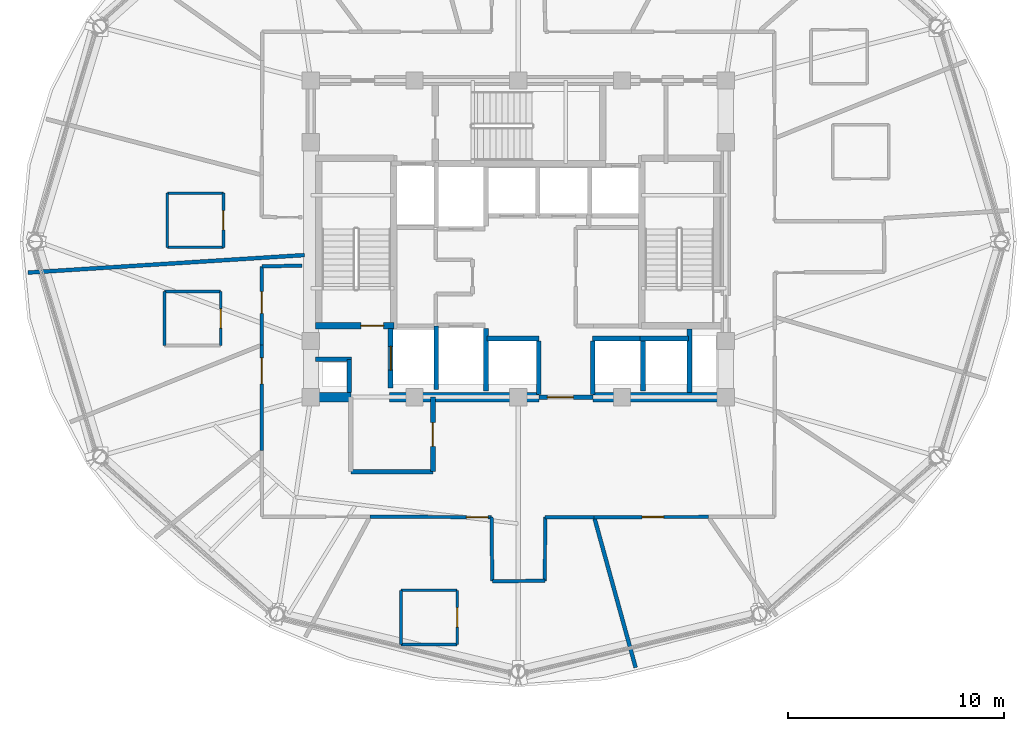
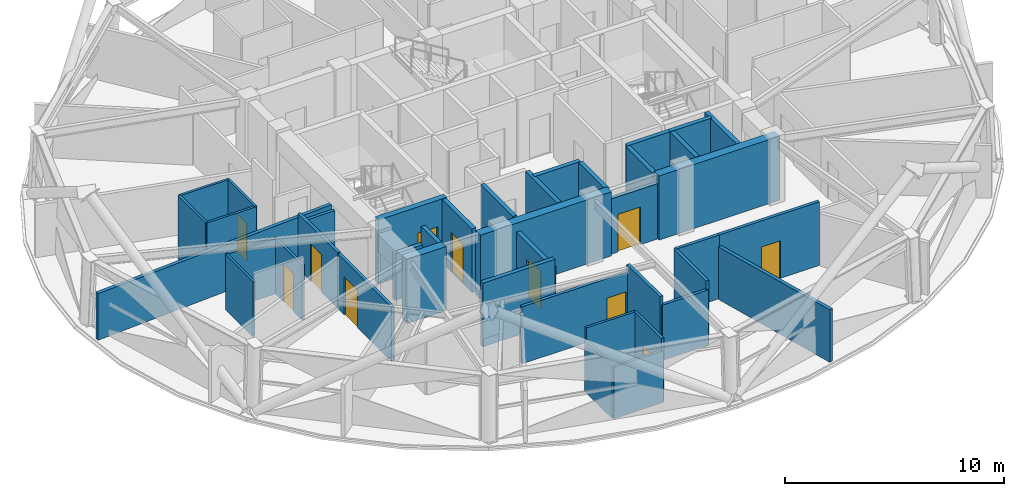
# One storey, part 7 of 14: 41 walls, 11 doors, 11 openings.
"""IFC4 building model written with IfcOpenShell, lengths in metres."""

from ifc_helpers import new_model, si_unit, direction, frame, frame_2d, origin, place, context, subcontext, project, spatial, rectangle, extrude, material, layer, layer_set, type_object, element, fill, save


model = new_model("IFC4")

# Units and contexts
model_context = context("Model", 3, precision=1e-05, world=origin(), true_north=direction((0.0, 1.0)))
body_context = subcontext(model_context, "Body", "Model", "MODEL_VIEW")
ifc_project = project(units=[si_unit("LENGTHUNIT", "METRE"), si_unit("AREAUNIT", "SQUARE_METRE"), si_unit("VOLUMEUNIT", "CUBIC_METRE"), si_unit("PLANEANGLEUNIT", "RADIAN"), si_unit("MASSUNIT", "GRAM", prefix="KILO")], contexts=[model_context])

# Site, building, storey
site_placement = place(None, origin())
site = spatial("IfcSite", under=ifc_project, at=site_placement, CompositionType="ELEMENT")
building_placement = place(site_placement, origin())
building = spatial("IfcBuilding", under=site, at=building_placement, Name="Vantalir Tower", CompositionType="ELEMENT")
storey_placement = place(building_placement, frame((0.0, 0.0, 204.89990234375)))
storey = spatial("IfcBuildingStorey", under=building, at=storey_placement, Name="L51", CompositionType="ELEMENT", Elevation=204.89990234375)

# Walls
ifc_material_1 = material(Name="Moisture-resistant en-suite partition", Category="gypsum")
ifc_layer_1 = layer(ifc_material_1, 0.125)
ifc_layer_set_1 = layer_set([ifc_layer_1], Name="Moisture-resistant en-suite partition")
wall_type_1 = type_object("IfcWallType", Name="WL-BATH-125", PredefinedType="PARTITIONING", material=ifc_layer_set_1)
for number, where, z_axis, x_axis, name in (
    (1, (15.257080078125, 24.735107421875, 0.0), (0.0, 0.0, 1.0), (1.0, 0.0, 0.0), "L51 En-suite 09 South Wall"),
    (2, (15.257080078125, 27.235107421875, 0.0), (0.0, 0.0, 1.0), (1.0, 0.0, 0.0), "L51 En-suite 09 North Wall"),
):
    element("IfcWall", number, at=place(storey_placement, frame(where, z_axis=z_axis, x_axis=x_axis)), inside=storey, type_object=wall_type_1, Name=name, PredefinedType="PARTITIONING", context=body_context, shape_type="SweptSolid", body=[
        extrude(rectangle(XDim=2.599853515625, YDim=0.125, at=frame_2d((1.2998046875, 0.0))), origin(), (0.0, 0.0, 1.0), 3.550048828125),
    ])
wall_1_placement = place(storey_placement, frame((15.257080078125, 24.735107421875, 0.0), z_axis=(0.0, 0.0, 1.0), x_axis=(0.0, 1.0, 0.0)))
element("IfcWall", 3, at=wall_1_placement, inside=storey, type_object=wall_type_1, Name="L51 En-suite 09 West Wall", PredefinedType="PARTITIONING", context=body_context, shape_type="SweptSolid", body=[
    extrude(rectangle(XDim=2.5, YDim=0.125, at=frame_2d((1.25, 0.0))), origin(), (0.0, 0.0, 1.0), 3.550048828125),
])

# Wall, opening, door
wall_2_placement = place(storey_placement, frame((17.85693359375, 24.735107421875, 0.0), z_axis=(0.0, 0.0, 1.0), x_axis=(0.0, 1.0, 0.0)))
wall_2 = element("IfcWall", 4, at=wall_2_placement, inside=storey, type_object=wall_type_1, Name="L51 En-suite 09 East Wall", PredefinedType="PARTITIONING", context=body_context, shape_type="SweptSolid", body=[
    extrude(rectangle(XDim=2.5, YDim=0.125, at=frame_2d((1.25, 0.0))), origin(), (0.0, 0.0, 1.0), 3.550048828125),
])
opening_1_placement = place(wall_2_placement, frame((0.800048828125, 0.0, 0.0)))
opening_1 = element("IfcOpeningElement", 5, at=opening_1_placement, cuts=wall_2, Name="Opening D-WC", PredefinedType="OPENING", context=body_context, shape_type="SweptSolid", body=[
    extrude(rectangle(XDim=0.89990234375, YDim=2.10009765625, at=frame_2d((0.449951171875, 1.050048828125))), frame((0.0, 0.072509765625, 0.0), z_axis=(0.0, -1.0, 0.0), x_axis=(1.0, 0.0, 0.0)), (0.0, 0.0, 1.0), 0.14501953125),
])
ifc_material_2 = material(Name="Moisture-resistant hardwood door", Category="wood")
door_type_1 = type_object("IfcDoorType", Name="DR-ENSUITE-900", OperationType="NOTDEFINED", PredefinedType="DOOR", material=ifc_material_2)
door_1_placement = place(opening_1_placement, origin())
door_1 = element("IfcDoor", 6, at=door_1_placement, inside=storey, type_object=door_type_1, Name="L51 En-suite 09 Door", OperationType="SINGLE_SWING_LEFT", OverallHeight=2.10009765625, OverallWidth=0.89990234375, PredefinedType="DOOR", context=body_context, shape_type="SweptSolid", body=[
    extrude(rectangle(XDim=0.89990234375, YDim=2.10009765625, at=frame_2d((0.449951171875, 1.050048828125))), frame((0.0, 0.02490234375, 0.0), z_axis=(0.0, -1.0, 0.0), x_axis=(1.0, 0.0, 0.0)), (0.0, 0.0, 1.0), 0.050048828125),
])
fill(opening_1, door_1)

# Walls
wall_3_placement = place(storey_placement, frame((15.1298828125, 22.68896484375, 0.0), z_axis=(0.0, 0.0, 1.0), x_axis=(1.0, 0.0, 0.0)))
element("IfcWall", 7, at=wall_3_placement, inside=storey, type_object=wall_type_1, Name="L51 En-suite 10 North Wall", PredefinedType="PARTITIONING", context=body_context, shape_type="SweptSolid", body=[
    extrude(rectangle(XDim=2.60009765625, YDim=0.125, at=frame_2d((1.300048828125, 0.0))), origin(), (0.0, 0.0, 1.0), 3.0810546875),
])
wall_4_placement = place(storey_placement, frame((15.1298828125, 20.18896484375, 0.0), z_axis=(0.0, 0.0, 1.0), x_axis=(0.0, 1.0, 0.0)))
element("IfcWall", 8, at=wall_4_placement, inside=storey, type_object=wall_type_1, Name="L51 En-suite 10 West Wall", PredefinedType="PARTITIONING", context=body_context, shape_type="SweptSolid", body=[
    extrude(rectangle(XDim=2.5, YDim=0.125, at=frame_2d((1.25, 0.0))), origin(), (0.0, 0.0, 1.0), 3.0810546875),
])

# Wall, opening, door
wall_5_placement = place(storey_placement, frame((17.72998046875, 20.18896484375, 0.0), z_axis=(0.0, 0.0, 1.0), x_axis=(0.0, 1.0, 0.0)))
wall_5 = element("IfcWall", 9, at=wall_5_placement, inside=storey, type_object=wall_type_1, Name="L51 En-suite 10 East Wall", PredefinedType="PARTITIONING", context=body_context, shape_type="SweptSolid", body=[
    extrude(rectangle(XDim=2.5, YDim=0.125, at=frame_2d((1.25, 0.0))), origin(), (0.0, 0.0, 1.0), 3.0810546875),
])
opening_2_placement = place(wall_5_placement, frame((0.800048828125, 0.0, 0.0)))
opening_2 = element("IfcOpeningElement", 10, at=opening_2_placement, cuts=wall_5, Name="Opening D-WC", PredefinedType="OPENING", context=body_context, shape_type="SweptSolid", body=[
    extrude(rectangle(XDim=0.89990234375, YDim=2.10009765625, at=frame_2d((0.449951171875, 1.050048828125))), frame((0.0, 0.072509765625, 0.0), z_axis=(0.0, -1.0, 0.0), x_axis=(1.0, 0.0, 0.0)), (0.0, 0.0, 1.0), 0.14501953125),
])
door_2_placement = place(opening_2_placement, origin())
door_2 = element("IfcDoor", 11, at=door_2_placement, inside=storey, type_object=door_type_1, Name="L51 En-suite 10 Door", OperationType="SINGLE_SWING_RIGHT", OverallHeight=2.10009765625, OverallWidth=0.89990234375, PredefinedType="DOOR", context=body_context, shape_type="SweptSolid", body=[
    extrude(rectangle(XDim=0.89990234375, YDim=2.10009765625, at=frame_2d((0.449951171875, 1.050048828125))), frame((0.0, 0.02490234375, 0.0), z_axis=(0.0, -1.0, 0.0), x_axis=(1.0, 0.0, 0.0)), (0.0, 0.0, 1.0), 0.050048828125),
])
fill(opening_2, door_2)

# Walls
wall_6_placement = place(storey_placement, frame((26.073974609375, 6.35888671875, 0.0), z_axis=(0.0, 0.0, 1.0), x_axis=(1.0, 0.0, 0.0)))
element("IfcWall", 12, at=wall_6_placement, inside=storey, type_object=wall_type_1, Name="L51 En-suite 13 South Wall", PredefinedType="PARTITIONING", context=body_context, shape_type="SweptSolid", body=[
    extrude(rectangle(XDim=2.60009765625, YDim=0.125, at=frame_2d((1.300048828125, 0.0))), origin(), (0.0, 0.0, 1.0), 2.885009765625),
])
wall_7_placement = place(storey_placement, frame((26.073974609375, 8.85888671875, 0.0), z_axis=(0.0, 0.0, 1.0), x_axis=(1.0, 0.0, 0.0)))
element("IfcWall", 13, at=wall_7_placement, inside=storey, type_object=wall_type_1, Name="L51 En-suite 13 North Wall", PredefinedType="PARTITIONING", context=body_context, shape_type="SweptSolid", body=[
    extrude(rectangle(XDim=2.60009765625, YDim=0.125, at=frame_2d((1.300048828125, 0.0))), origin(), (0.0, 0.0, 1.0), 3.550048828125),
])
wall_8_placement = place(storey_placement, frame((26.073974609375, 6.35888671875, 0.0), z_axis=(0.0, 0.0, 1.0), x_axis=(0.0, 1.0, 0.0)))
element("IfcWall", 14, at=wall_8_placement, inside=storey, type_object=wall_type_1, Name="L51 En-suite 13 West Wall", PredefinedType="PARTITIONING", context=body_context, shape_type="SweptSolid", body=[
    extrude(rectangle(XDim=2.5, YDim=0.125, at=frame_2d((1.25, 0.0))), origin(), (0.0, 0.0, 1.0), 2.885009765625),
])

# Wall, opening, door
wall_9_placement = place(storey_placement, frame((28.674072265625, 6.35888671875, 0.0), z_axis=(0.0, 0.0, 1.0), x_axis=(0.0, 1.0, 0.0)))
wall_9 = element("IfcWall", 15, at=wall_9_placement, inside=storey, type_object=wall_type_1, Name="L51 En-suite 13 East Wall", PredefinedType="PARTITIONING", context=body_context, shape_type="SweptSolid", body=[
    extrude(rectangle(XDim=2.5, YDim=0.125, at=frame_2d((1.25, 0.0))), origin(), (0.0, 0.0, 1.0), 3.550048828125),
])
opening_3_placement = place(wall_9_placement, frame((0.800048828125, 0.0, 0.0)))
opening_3 = element("IfcOpeningElement", 16, at=opening_3_placement, cuts=wall_9, Name="Opening D-WC", PredefinedType="OPENING", context=body_context, shape_type="SweptSolid", body=[
    extrude(rectangle(XDim=0.89990234375, YDim=2.10009765625, at=frame_2d((0.449951171875, 1.050048828125))), frame((0.0, 0.072509765625, 0.0), z_axis=(0.0, -1.0, 0.0), x_axis=(1.0, 0.0, 0.0)), (0.0, 0.0, 1.0), 0.14501953125),
])
door_3_placement = place(opening_3_placement, origin())
door_3 = element("IfcDoor", 17, at=door_3_placement, inside=storey, type_object=door_type_1, Name="L51 En-suite 13 Door", OperationType="SINGLE_SWING_LEFT", OverallHeight=2.10009765625, OverallWidth=0.89990234375, PredefinedType="DOOR", context=body_context, shape_type="SweptSolid", body=[
    extrude(rectangle(XDim=0.89990234375, YDim=2.10009765625, at=frame_2d((0.449951171875, 1.050048828125))), frame((0.0, 0.02490234375, 0.0), z_axis=(0.0, -1.0, 0.0), x_axis=(1.0, 0.0, 0.0)), (0.0, 0.0, 1.0), 0.050048828125),
])
fill(opening_3, door_3)

# Walls
ifc_material_3 = material(Name="Concrete C50/60", Category="concrete")
ifc_layer_2 = layer(ifc_material_3, 0.449951171875)
ifc_layer_set_2 = layer_set([ifc_layer_2], Name="Concrete C50/60")
wall_type_2 = type_object("IfcWallType", Name="WL-CORE-450", PredefinedType="SHEAR", material=ifc_layer_set_2)
wall_10_placement = place(storey_placement, frame((21.675048828125, 17.800048828125, 0.0), z_axis=(0.0, 0.0, 1.0), x_axis=(1.0, 0.0, 0.0)))
element("IfcWall", 18, at=wall_10_placement, inside=storey, type_object=wall_type_2, Name="L51 Core Shear Wall South-West", PredefinedType="SHEAR", context=body_context, shape_type="SweptSolid", body=[
    extrude(rectangle(XDim=2.074951171875, YDim=0.449951171875, at=frame_2d((1.03759765625, 0.0))), origin(), (0.0, 0.0, 1.0), 3.570068359375),
])
wall_11_placement = place(storey_placement, frame((25.550048828125, 17.800048828125, 0.0), z_axis=(0.0, 0.0, 1.0), x_axis=(1.0, 0.0, 0.0)))
element("IfcWall", 19, at=wall_11_placement, inside=storey, type_object=wall_type_2, Name="L51 Core Shear Wall South-Mid", PredefinedType="SHEAR", context=body_context, shape_type="SweptSolid", body=[
    extrude(rectangle(XDim=6.89990234375, YDim=0.449951171875, at=frame_2d((3.449951171875, 0.0))), origin(), (0.0, 0.0, 1.0), 3.570068359375),
])
wall_12_placement = place(storey_placement, frame((34.949951171875, 17.800048828125, 0.0), z_axis=(0.0, 0.0, 1.0), x_axis=(1.0, 0.0, 0.0)))
element("IfcWall", 20, at=wall_12_placement, inside=storey, type_object=wall_type_2, Name="L51 Core Shear Wall South-East", PredefinedType="SHEAR", context=body_context, shape_type="SweptSolid", body=[
    extrude(rectangle(XDim=6.375, YDim=0.449951171875, at=frame_2d((3.1875, 0.0))), origin(), (0.0, 0.0, 1.0), 3.570068359375),
])

# Wall, opening, door
ifc_material_4 = material(Name="Fire-rated hotel corridor acoustic partition", Category="gypsum")
ifc_layer_3 = layer(ifc_material_4, 0.159912109375)
ifc_layer_set_3 = layer_set([ifc_layer_3], Name="Fire-rated hotel corridor acoustic partition")
wall_type_3 = type_object("IfcWallType", Name="WL-CORR-160", PredefinedType="PARTITIONING", material=ifc_layer_set_3)
wall_13_placement = place(storey_placement, frame((40.297119140625, 12.256103515625, 0.0), z_axis=(0.0, 0.0, 1.0), x_axis=(-0.999999691772, -0.000785146627, 0.0)))
wall_13 = element("IfcWall", 21, at=wall_13_placement, inside=storey, type_object=wall_type_3, Name="L51 Corridor Partition 25", PredefinedType="PARTITIONING", context=body_context, shape_type="SweptSolid", body=[
    extrude(rectangle(XDim=5.2861328125, YDim=0.159912109375, at=frame_2d((2.64306640625, 0.0))), origin(), (0.0, 0.0, 1.0), 3.550048828125),
])
opening_4_placement = place(wall_13_placement, frame((2.070068359375, 0.0, 0.0)))
opening_4 = element("IfcOpeningElement", 22, at=opening_4_placement, cuts=wall_13, Name="Opening D-GUEST", PredefinedType="OPENING", context=body_context, shape_type="SweptSolid", body=[
    extrude(rectangle(XDim=1.0, YDim=2.10009765625, at=frame_2d((0.5, 1.050048828125))), frame((0.0, 0.08984375, 0.0), z_axis=(0.0, -1.0, 0.0), x_axis=(1.0, 0.0, 0.0)), (0.0, 0.0, 1.0), 0.179931640625),
])
ifc_material_5 = material(Name="Solid-core teak veneer acoustic fire door", Category="wood")
door_type_2 = type_object("IfcDoorType", Name="DR-GUEST-ENTRY-1000", OperationType="NOTDEFINED", PredefinedType="DOOR", material=ifc_material_5)
door_4_placement = place(opening_4_placement, origin())
door_4 = element("IfcDoor", 23, at=door_4_placement, inside=storey, type_object=door_type_2, Name="L51 Executive Business Study 14 Door", OperationType="SINGLE_SWING_RIGHT", OverallHeight=2.10009765625, OverallWidth=1.0, PredefinedType="DOOR", context=body_context, shape_type="SweptSolid", body=[
    extrude(rectangle(XDim=1.0, YDim=2.10009765625, at=frame_2d((0.5, 1.050048828125))), frame((0.0, 0.02490234375, 0.0), z_axis=(0.0, -1.0, 0.0), x_axis=(1.0, 0.0, 0.0)), (0.0, 0.0, 1.0), 0.050048828125),
])
fill(opening_4, door_4)

# Walls
wall_14_placement = place(storey_placement, frame((35.010986328125, 12.251953125, 0.0), z_axis=(0.0, 0.0, 1.0), x_axis=(-0.999999630174, -0.000860029783, 0.0)))
element("IfcWall", 24, at=wall_14_placement, inside=storey, type_object=wall_type_3, Name="L51 Corridor Partition 26", PredefinedType="PARTITIONING", context=body_context, shape_type="SweptSolid", body=[
    extrude(rectangle(XDim=2.27099609375, YDim=0.159912109375, at=frame_2d((1.135498046875, 0.0))), origin(), (0.0, 0.0, 1.0), 3.550048828125),
])
wall_15_placement = place(storey_placement, frame((32.739990234375, 12.25, 0.0), z_axis=(0.0, 0.0, 1.0), x_axis=(-0.003062139082, -0.999995311641, 0.0)))
element("IfcWall", 25, at=wall_15_placement, inside=storey, type_object=wall_type_3, Name="L51 Corridor Partition 27", PredefinedType="PARTITIONING", context=body_context, shape_type="SweptSolid", body=[
    extrude(rectangle(XDim=2.949951171875, YDim=0.159912109375, at=frame_2d((1.47509765625, 0.0))), origin(), (0.0, 0.0, 1.0), 3.550048828125),
])
wall_16_placement = place(storey_placement, frame((32.73095703125, 9.300048828125, 0.0), z_axis=(0.0, 0.0, 1.0), x_axis=(-0.999980680225, -0.006216041926, 0.0)))
element("IfcWall", 26, at=wall_16_placement, inside=storey, type_object=wall_type_3, Name="L51 Corridor Partition 28", PredefinedType="PARTITIONING", context=body_context, shape_type="SweptSolid", body=[
    extrude(rectangle(XDim=2.43505859375, YDim=0.159912109375, at=frame_2d((1.217529296875, 0.0))), origin(), (0.0, 0.0, 1.0), 3.0810546875),
])
wall_17_placement = place(storey_placement, frame((30.2958984375, 9.284912109375, 0.0), z_axis=(0.0, 0.0, 1.0), x_axis=(-0.012102859892, 0.999926757709, 0.0)))
element("IfcWall", 27, at=wall_17_placement, inside=storey, type_object=wall_type_3, Name="L51 Corridor Partition 29", PredefinedType="PARTITIONING", context=body_context, shape_type="SweptSolid", body=[
    extrude(rectangle(XDim=2.96533203125, YDim=0.159912109375, at=frame_2d((1.482666015625, 0.0))), origin(), (0.0, 0.0, 1.0), 3.550048828125),
])

# Wall, opening, door
wall_18_placement = place(storey_placement, frame((30.260009765625, 12.25, 0.0), z_axis=(0.0, 0.0, 1.0), x_axis=(-0.999998091994, 0.001953460416, 0.0)))
wall_18 = element("IfcWall", 28, at=wall_18_placement, inside=storey, type_object=wall_type_3, Name="L51 Corridor Partition 30", PredefinedType="PARTITIONING", context=body_context, shape_type="SweptSolid", body=[
    extrude(rectangle(XDim=5.6240234375, YDim=0.159912109375, at=frame_2d((2.81201171875, 0.0))), origin(), (0.0, 0.0, 1.0), 3.177978515625),
])
opening_5_placement = place(wall_18_placement, frame((0.159912109375, 0.0, 0.0)))
opening_5 = element("IfcOpeningElement", 29, at=opening_5_placement, cuts=wall_18, Name="Opening D-GUEST", PredefinedType="OPENING", context=body_context, shape_type="SweptSolid", body=[
    extrude(rectangle(XDim=1.0, YDim=2.10009765625, at=frame_2d((0.5, 1.050048828125))), frame((0.0, 0.08984375, 0.0), z_axis=(0.0, -1.0, 0.0), x_axis=(1.0, 0.0, 0.0)), (0.0, 0.0, 1.0), 0.179931640625),
])
door_5_placement = place(opening_5_placement, origin())
door_5 = element("IfcDoor", 30, at=door_5_placement, inside=storey, type_object=door_type_2, Name="L51 Twin Queen Hotel Room 13 Door", OperationType="SINGLE_SWING_LEFT", OverallHeight=2.10009765625, OverallWidth=1.0, PredefinedType="DOOR", context=body_context, shape_type="SweptSolid", body=[
    extrude(rectangle(XDim=1.0, YDim=2.10009765625, at=frame_2d((0.5, 1.050048828125))), frame((0.0, 0.02490234375, 0.0), z_axis=(0.0, -1.0, 0.0), x_axis=(1.0, 0.0, 0.0)), (0.0, 0.0, 1.0), 0.050048828125),
])
fill(opening_5, door_5)

wall_19_placement = place(storey_placement, frame((19.638916015625, 15.33203125, 0.0), z_axis=(0.0, 0.0, 1.0), x_axis=(-0.000399660257, 0.999999920136, 0.0)))
wall_19 = element("IfcWall", 31, at=wall_19_placement, inside=storey, type_object=wall_type_3, Name="L51 Corridor Partition 33", PredefinedType="PARTITIONING", context=body_context, shape_type="SweptSolid", body=[
    extrude(rectangle(XDim=4.886962890625, YDim=0.159912109375, at=frame_2d((2.443359375, 0.0))), origin(), (0.0, 0.0, 1.0), 3.0419921875),
])
opening_6_placement = place(wall_19_placement, frame((3.087890625, 0.0, 0.0)))
opening_6 = element("IfcOpeningElement", 32, at=opening_6_placement, cuts=wall_19, Name="Opening D-STE", PredefinedType="OPENING", context=body_context, shape_type="SweptSolid", body=[
    extrude(rectangle(XDim=1.199951171875, YDim=2.10009765625, at=frame_2d((0.60009765625, 1.050048828125))), frame((0.0, 0.08984375, 0.0), z_axis=(0.0, -1.0, 0.0), x_axis=(1.0, 0.0, 0.0)), (0.0, 0.0, 1.0), 0.179931640625),
])
ifc_material_6 = material(Name="Solid-core teak veneer suite entrance door", Category="wood")
door_type_3 = type_object("IfcDoorType", Name="DR-SUITE-ENTRY-1200", OperationType="NOTDEFINED", PredefinedType="DOOR", material=ifc_material_6)
door_6_placement = place(opening_6_placement, origin())
door_6 = element("IfcDoor", 33, at=door_6_placement, inside=storey, type_object=door_type_3, Name="L51 Club Reading Lounge 11 Door", OperationType="SINGLE_SWING_LEFT", OverallHeight=2.10009765625, OverallWidth=1.199951171875, PredefinedType="DOOR", context=body_context, shape_type="SweptSolid", body=[
    extrude(rectangle(XDim=1.199951171875, YDim=2.10009765625, at=frame_2d((0.60009765625, 1.050048828125))), frame((0.0, 0.02490234375, 0.0), z_axis=(0.0, -1.0, 0.0), x_axis=(1.0, 0.0, 0.0)), (0.0, 0.0, 1.0), 0.050048828125),
])
fill(opening_6, door_6)

wall_20_placement = place(storey_placement, frame((19.636962890625, 20.218994140625, 0.0), z_axis=(0.0, 0.0, 1.0), x_axis=(-0.000537309346, 0.999999855649, 0.0)))
wall_20 = element("IfcWall", 34, at=wall_20_placement, inside=storey, type_object=wall_type_3, Name="L51 Corridor Partition 34", PredefinedType="PARTITIONING", context=body_context, shape_type="SweptSolid", body=[
    extrude(rectangle(XDim=3.635009765625, YDim=0.159912109375, at=frame_2d((1.8173828125, 0.0))), origin(), (0.0, 0.0, 1.0), 3.0810546875),
])
opening_7_placement = place(wall_20_placement, frame((1.4619140625, 0.0, 0.0)))
opening_7 = element("IfcOpeningElement", 35, at=opening_7_placement, cuts=wall_20, Name="Opening D-GUEST", PredefinedType="OPENING", context=body_context, shape_type="SweptSolid", body=[
    extrude(rectangle(XDim=1.0, YDim=2.10009765625, at=frame_2d((0.5, 1.050048828125))), frame((0.0, 0.08984375, 0.0), z_axis=(0.0, -1.0, 0.0), x_axis=(1.0, 0.0, 0.0)), (0.0, 0.0, 1.0), 0.179931640625),
])
door_7_placement = place(opening_7_placement, origin())
door_7 = element("IfcDoor", 36, at=door_7_placement, inside=storey, type_object=door_type_2, Name="L51 Deluxe King Hotel Room 10 Door", OperationType="SINGLE_SWING_RIGHT", OverallHeight=2.10009765625, OverallWidth=1.0, PredefinedType="DOOR", context=body_context, shape_type="SweptSolid", body=[
    extrude(rectangle(XDim=1.0, YDim=2.10009765625, at=frame_2d((0.5, 1.050048828125))), frame((0.0, 0.02490234375, 0.0), z_axis=(0.0, -1.0, 0.0), x_axis=(1.0, 0.0, 0.0)), (0.0, 0.0, 1.0), 0.050048828125),
])
fill(opening_7, door_7)

# Walls
wall_21_placement = place(storey_placement, frame((19.635009765625, 23.85400390625, 0.0), z_axis=(0.0, 0.0, 1.0), x_axis=(0.999886107392, 0.015092125259, 0.0)))
element("IfcWall", 37, at=wall_21_placement, inside=storey, type_object=wall_type_3, Name="L51 Corridor Partition 35", PredefinedType="PARTITIONING", context=body_context, shape_type="SweptSolid", body=[
    extrude(rectangle(XDim=1.8603515625, YDim=0.159912109375, at=frame_2d((0.93017578125, 0.0))), origin(), (0.0, 0.0, 1.0), 2.59521484375),
])
ifc_material_7 = material(Name="Concrete blockwork with fireboard lining", Category="masonry")
ifc_layer_4 = layer(ifc_material_7, 0.219970703125)
ifc_layer_set_4 = layer_set([ifc_layer_4], Name="Concrete blockwork with fireboard lining")
wall_type_4 = type_object("IfcWallType", Name="WL-FFL-220", PredefinedType="PARTITIONING", material=ifc_layer_set_4)
wall_22_placement = place(storey_placement, frame((30.0, 18.080078125, 0.0), z_axis=(0.0, 0.0, 1.0), x_axis=(0.0, 1.0, 0.0)))
element("IfcWall", 38, at=wall_22_placement, inside=storey, type_object=wall_type_4, Name="L51 Service Lift SV1 East Shaft Wall", PredefinedType="PARTITIONING", context=body_context, shape_type="SweptSolid", body=[
    extrude(rectangle(XDim=2.89990234375, YDim=0.219970703125, at=frame_2d((1.449951171875, 0.0))), origin(), (0.0, 0.0, 1.0), 3.545166015625),
])
for number, where, z_axis, x_axis, name in (
    (39, (32.449951171875, 17.919921875, 0.0), (0.0, 0.0, 1.0), (0.0, 1.0, 0.0), "L51 Shuttle Lift PL-X1 East Shaft Cheek"),
    (40, (34.949951171875, 17.919921875, 0.0), (0.0, 0.0, 1.0), (0.0, 1.0, 0.0), "L51 Shuttle Lift PL-X3 West Shaft Cheek"),
):
    element("IfcWall", number, at=place(storey_placement, frame(where, z_axis=z_axis, x_axis=x_axis)), inside=storey, type_object=wall_type_4, Name=name, PredefinedType="PARTITIONING", context=body_context, shape_type="SweptSolid", body=[
        extrude(rectangle(XDim=2.469970703125, YDim=0.219970703125, at=frame_2d((1.23486328125, 0.0))), origin(), (0.0, 0.0, 1.0), 3.545166015625),
    ])
wall_23_placement = place(storey_placement, frame((37.27490234375, 18.080078125, 0.0), z_axis=(0.0, 0.0, 1.0), x_axis=(0.0, 1.0, 0.0)))
element("IfcWall", 41, at=wall_23_placement, inside=storey, type_object=wall_type_4, Name="L51 Shuttle Lift PL-X2/X3 Shaft Divider", PredefinedType="PARTITIONING", context=body_context, shape_type="SweptSolid", body=[
    extrude(rectangle(XDim=2.309814453125, YDim=0.219970703125, at=frame_2d((1.15478515625, 0.0))), origin(), (0.0, 0.0, 1.0), 3.545166015625),
])

# Wall, opening, door
wall_24_placement = place(storey_placement, frame((32.449951171875, 17.800048828125, 0.0), z_axis=(0.0, 0.0, 1.0), x_axis=(1.0, 0.0, 0.0)))
wall_24 = element("IfcWall", 42, at=wall_24_placement, inside=storey, type_object=wall_type_4, Name="L51 Passenger Lift Lobby South Wall", PredefinedType="PARTITIONING", context=body_context, shape_type="SweptSolid", body=[
    extrude(rectangle(XDim=2.5, YDim=0.219970703125, at=frame_2d((1.25, 0.0))), origin(), (0.0, 0.0, 1.0), 3.0810546875),
])
opening_8_placement = place(wall_24_placement, frame((0.39990234375, 0.0, 0.0)))
opening_8 = element("IfcOpeningElement", 43, at=opening_8_placement, cuts=wall_24, Name="Opening D-STE", PredefinedType="OPENING", context=body_context, shape_type="SweptSolid", body=[
    extrude(rectangle(XDim=1.199951171875, YDim=2.10009765625, at=frame_2d((0.60009765625, 1.050048828125))), frame((0.0, 0.119873046875, 0.0), z_axis=(0.0, -1.0, 0.0), x_axis=(1.0, 0.0, 0.0)), (0.0, 0.0, 1.0), 0.239990234375),
])
door_8_placement = place(opening_8_placement, origin())
door_8 = element("IfcDoor", 44, at=door_8_placement, inside=storey, type_object=door_type_3, Name="L51 Passenger Lift Lobby Concourse Door", OperationType="SINGLE_SWING_RIGHT", OverallHeight=2.10009765625, OverallWidth=1.199951171875, PredefinedType="DOOR", context=body_context, shape_type="SweptSolid", body=[
    extrude(rectangle(XDim=1.199951171875, YDim=2.10009765625, at=frame_2d((0.60009765625, 1.050048828125))), frame((0.0, 0.02490234375, 0.0), z_axis=(0.0, -1.0, 0.0), x_axis=(1.0, 0.0, 0.0)), (0.0, 0.0, 1.0), 0.050048828125),
])
fill(opening_8, door_8)

# Walls
wall_25_placement = place(storey_placement, frame((23.679931640625, 18.02490234375, 0.0), z_axis=(0.0, 0.0, 1.0), x_axis=(0.0, 1.0, 0.0)))
element("IfcWall", 45, at=wall_25_placement, inside=storey, type_object=wall_type_4, Name="L51 West MEP Riser Wall E", PredefinedType="PARTITIONING", context=body_context, shape_type="SweptSolid", body=[
    extrude(rectangle(XDim=1.525146484375, YDim=0.219970703125, at=frame_2d((0.7626953125, 0.0))), origin(), (0.0, 0.0, 1.0), 3.550048828125),
])
wall_26_placement = place(storey_placement, frame((22.125, 19.550048828125, 0.0), z_axis=(0.0, 0.0, 1.0), x_axis=(1.0, 0.0, 0.0)))
element("IfcWall", 46, at=wall_26_placement, inside=storey, type_object=wall_type_4, Name="L51 West MEP Riser Wall N", PredefinedType="PARTITIONING", context=body_context, shape_type="SweptSolid", body=[
    extrude(rectangle(XDim=1.6650390625, YDim=0.219970703125, at=frame_2d((0.83251953125, 0.0))), origin(), (0.0, 0.0, 1.0), 2.59521484375),
])
wall_27_placement = place(storey_placement, frame((39.419921875, 18.02490234375, 0.0), z_axis=(0.0, 0.0, 1.0), x_axis=(0.0, 1.0, 0.0)))
element("IfcWall", 47, at=wall_27_placement, inside=storey, type_object=wall_type_4, Name="L51 East MEP Riser Wall W", PredefinedType="PARTITIONING", context=body_context, shape_type="SweptSolid", body=[
    extrude(rectangle(XDim=2.925048828125, YDim=0.219970703125, at=frame_2d((1.46240234375, 0.0))), origin(), (0.0, 0.0, 1.0), 3.550048828125),
])

# Wall, opening, door
wall_28_placement = place(storey_placement, frame((25.590087890625, 18.219970703125, 0.0), z_axis=(0.0, 0.0, 1.0), x_axis=(0.0, 1.0, 0.0)))
wall_28 = element("IfcWall", 48, at=wall_28_placement, inside=storey, type_object=wall_type_4, Name="L51 Lift FL1 Shaft Front Wall", PredefinedType="PARTITIONING", context=body_context, shape_type="SweptSolid", body=[
    extrude(rectangle(XDim=2.760009765625, YDim=0.219970703125, at=frame_2d((1.3798828125, 0.0))), origin(), (0.0, 0.0, 1.0), 3.550048828125),
])
opening_9_placement = place(wall_28_placement, frame((0.830078125, 0.0, 0.0)))
opening_9 = element("IfcOpeningElement", 49, at=opening_9_placement, cuts=wall_28, Name="Opening LD-FL1", PredefinedType="OPENING", context=body_context, shape_type="SweptSolid", body=[
    extrude(rectangle(XDim=1.10009765625, YDim=2.199951171875, at=frame_2d((0.550048828125, 1.10009765625))), frame((0.0, 0.119873046875, 0.0), z_axis=(0.0, -1.0, 0.0), x_axis=(1.0, 0.0, 0.0)), (0.0, 0.0, 1.0), 0.239990234375),
])
ifc_material_8 = material(Name="Brushed stainless-steel sliding lift landing door", Category="steel")
door_type_4 = type_object("IfcDoorType", Name="DR-LIFT-LANDING-1100", OperationType="DOUBLE_DOOR_SLIDING", PredefinedType="DOOR", material=ifc_material_8)
door_9_placement = place(opening_9_placement, origin())
door_9 = element("IfcDoor", 50, at=door_9_placement, inside=storey, type_object=door_type_4, Name="L51 Lift Landing Door FL1", OperationType="DOUBLE_DOOR_SLIDING", OverallHeight=2.199951171875, OverallWidth=1.10009765625, PredefinedType="DOOR", context=body_context, shape_type="SweptSolid", body=[
    extrude(rectangle(XDim=1.10009765625, YDim=2.199951171875, at=frame_2d((0.550048828125, 1.10009765625))), frame((0.0, 0.02490234375, 0.0), z_axis=(0.0, -1.0, 0.0), x_axis=(1.0, 0.0, 0.0)), (0.0, 0.0, 1.0), 0.050048828125),
])
fill(opening_9, door_9)

# Walls
wall_29_placement = place(storey_placement, frame((30.0400390625, 20.510009765625, 0.0), z_axis=(0.0, 0.0, 1.0), x_axis=(1.0, 0.0, 0.0)))
element("IfcWall", 51, at=wall_29_placement, inside=storey, type_object=wall_type_4, Name="L51 Lift PL-X1 Shaft Front Wall", PredefinedType="PARTITIONING", context=body_context, shape_type="SweptSolid", body=[
    extrude(rectangle(XDim=2.419921875, YDim=0.219970703125, at=frame_2d((1.2099609375, 0.0))), origin(), (0.0, 0.0, 1.0), 3.550048828125),
])
for number, where, z_axis, x_axis, name in (
    (52, (37.139892578125, 20.510009765625, 0.0), (0.0, 0.0, 1.0), (1.0, 0.0, 0.0), "L51 Lift PL-X2 Shaft Rear Wall"),
    (53, (34.93994140625, 20.510009765625, 0.0), (0.0, 0.0, 1.0), (1.0, 0.0, 0.0), "L51 Lift PL-X3 Shaft Front Wall"),
):
    element("IfcWall", number, at=place(storey_placement, frame(where, z_axis=z_axis, x_axis=x_axis)), inside=storey, type_object=wall_type_4, Name=name, PredefinedType="PARTITIONING", context=body_context, shape_type="SweptSolid", body=[
        extrude(rectangle(XDim=2.239990234375, YDim=0.219970703125, at=frame_2d((1.1201171875, 0.0))), origin(), (0.0, 0.0, 1.0), 3.550048828125),
    ])
wall_30_placement = place(storey_placement, frame((27.699951171875, 18.14990234375, 0.0), z_axis=(0.0, 0.0, 1.0), x_axis=(0.0, 1.0, 0.0)))
element("IfcWall", 54, at=wall_30_placement, inside=storey, type_object=wall_type_4, Name="L51 Fire Lift FL1 Dividing Wall", PredefinedType="PARTITIONING", context=body_context, shape_type="SweptSolid", body=[
    extrude(rectangle(XDim=2.9501953125, YDim=0.219970703125, at=frame_2d((1.47509765625, 0.0))), origin(), (0.0, 0.0, 1.0), 3.550048828125),
])
wall_31_placement = place(storey_placement, frame((23.75, 14.35009765625, 0.0), z_axis=(0.0, 0.0, 1.0), x_axis=(1.0, 0.0, 0.0)))
element("IfcWall", 55, at=wall_31_placement, inside=storey, type_object=wall_type_4, Name="L51 Firefighting Lobby West South Wall", PredefinedType="PARTITIONING", context=body_context, shape_type="SweptSolid", body=[
    extrude(rectangle(XDim=3.800048828125, YDim=0.219970703125, at=frame_2d((1.89990234375, 0.0))), origin(), (0.0, 0.0, 1.0), 3.550048828125),
])

# Wall, opening, door
wall_32_placement = place(storey_placement, frame((27.550048828125, 14.35009765625, 0.0), z_axis=(0.0, 0.0, 1.0), x_axis=(0.0, 1.0, 0.0)))
wall_32 = element("IfcWall", 56, at=wall_32_placement, inside=storey, type_object=wall_type_4, Name="L51 Firefighting Lobby West East Wall", PredefinedType="PARTITIONING", context=body_context, shape_type="SweptSolid", body=[
    extrude(rectangle(XDim=3.449951171875, YDim=0.219970703125, at=frame_2d((1.72509765625, 0.0))), origin(), (0.0, 0.0, 1.0), 3.0810546875),
])
opening_10_placement = place(wall_32_placement, frame((1.175048828125, 0.0, 0.0)))
opening_10 = element("IfcOpeningElement", 57, at=opening_10_placement, cuts=wall_32, Name="Opening D-FFL", PredefinedType="OPENING", context=body_context, shape_type="SweptSolid", body=[
    extrude(rectangle(XDim=1.10009765625, YDim=2.10009765625, at=frame_2d((0.550048828125, 1.050048828125))), frame((0.0, 0.119873046875, 0.0), z_axis=(0.0, -1.0, 0.0), x_axis=(1.0, 0.0, 0.0)), (0.0, 0.0, 1.0), 0.239990234375),
])
ifc_material_9 = material(Name="Fire-rated acoustic steel door", Category="steel")
door_type_5 = type_object("IfcDoorType", Name="DR-FIRE-LOBBY-1100", OperationType="NOTDEFINED", PredefinedType="DOOR", material=ifc_material_9)
door_10_placement = place(opening_10_placement, origin())
door_10 = element("IfcDoor", 58, at=door_10_placement, inside=storey, type_object=door_type_5, Name="L51 Firefighting Lobby West Access Door", OperationType="SINGLE_SWING_RIGHT", OverallHeight=2.10009765625, OverallWidth=1.10009765625, PredefinedType="DOOR", context=body_context, shape_type="SweptSolid", body=[
    extrude(rectangle(XDim=1.10009765625, YDim=2.10009765625, at=frame_2d((0.550048828125, 1.050048828125))), frame((0.0, 0.02490234375, 0.0), z_axis=(0.0, -1.0, 0.0), x_axis=(1.0, 0.0, 0.0)), (0.0, 0.0, 1.0), 0.050048828125),
])
fill(opening_10, door_10)

# Walls
ifc_material_10 = material(Name="Twin-stud acoustic fire-rated gypsum partition", Category="gypsum")
ifc_layer_5 = layer(ifc_material_10, 0.179931640625)
ifc_layer_set_5 = layer_set([ifc_layer_5], Name="Twin-stud acoustic fire-rated gypsum partition")
wall_type_5 = type_object("IfcWallType", Name="WL-GUEST-180", PredefinedType="PARTITIONING", material=ifc_layer_set_5)
wall_33_placement = place(storey_placement, frame((21.60009765625, 24.373046875, 0.0), z_axis=(0.0, 0.0, 1.0), x_axis=(-0.998000649979, -0.063203660036, 0.0)))
element("IfcWall", 59, at=wall_33_placement, inside=storey, type_object=wall_type_5, Name="L51 Radial Suite Partition 10", PredefinedType="PARTITIONING", context=body_context, shape_type="SweptSolid", body=[
    extrude(rectangle(XDim=12.816650390625, YDim=0.179931640625, at=frame_2d((6.408203125, 0.0))), origin(), (0.0, 0.0, 1.0), 2.59521484375),
])
wall_34_placement = place(storey_placement, frame((35.032958984375, 12.175048828125, 0.0), z_axis=(0.0, 0.0, 1.0), x_axis=(0.265440726874, -0.964127180675, 0.0)))
element("IfcWall", 60, at=wall_34_placement, inside=storey, type_object=wall_type_5, Name="L51 Radial Suite Partition 14", PredefinedType="PARTITIONING", context=body_context, shape_type="SweptSolid", body=[
    extrude(rectangle(XDim=7.146484375, YDim=0.179931640625, at=frame_2d((3.5732421875, 0.0))), origin(), (0.0, 0.0, 1.0), 2.925048828125),
])

# Wall, opening, door
ifc_layer_6 = layer(ifc_material_3, 0.300048828125)
ifc_layer_set_6 = layer_set([ifc_layer_6], Name="Concrete C50/60")
wall_type_6 = type_object("IfcWallType", Name="WL-STAIR-300", PredefinedType="SHEAR", material=ifc_layer_set_6)
wall_35_placement = place(storey_placement, frame((22.125, 21.10009765625, 0.0), z_axis=(0.0, 0.0, 1.0), x_axis=(1.0, 0.0, 0.0)))
wall_35 = element("IfcWall", 61, at=wall_35_placement, inside=storey, type_object=wall_type_6, Name="L51 Stair ST1 South Wall", PredefinedType="SHEAR", context=body_context, shape_type="SweptSolid", body=[
    extrude(rectangle(XDim=3.614990234375, YDim=0.300048828125, at=frame_2d((1.8076171875, 0.0))), origin(), (0.0, 0.0, 1.0), 3.570068359375),
])
opening_11_placement = place(wall_35_placement, frame((2.094970703125, 0.0, 0.0)))
opening_11 = element("IfcOpeningElement", 62, at=opening_11_placement, cuts=wall_35, Name="Opening D-ST", PredefinedType="OPENING", context=body_context, shape_type="SweptSolid", body=[
    extrude(rectangle(XDim=1.050048828125, YDim=2.10009765625, at=frame_2d((0.52490234375, 1.050048828125))), frame((0.0, 0.159912109375, 0.0), z_axis=(0.0, -1.0, 0.0), x_axis=(1.0, 0.0, 0.0)), (0.0, 0.0, 1.0), 0.320068359375),
])
ifc_material_11 = material(Name="Fire-rated steel door leaf", Category="steel")
door_type_6 = type_object("IfcDoorType", Name="DR-FIRE-STAIR-1050", OperationType="NOTDEFINED", PredefinedType="DOOR", material=ifc_material_11)
door_11_placement = place(opening_11_placement, origin())
door_11 = element("IfcDoor", 63, at=door_11_placement, inside=storey, type_object=door_type_6, Name="L51 Exit Stair ST1 Fire Door", OperationType="SINGLE_SWING_RIGHT", OverallHeight=2.10009765625, OverallWidth=1.050048828125, PredefinedType="DOOR", context=body_context, shape_type="SweptSolid", body=[
    extrude(rectangle(XDim=1.050048828125, YDim=2.10009765625, at=frame_2d((0.52490234375, 1.050048828125))), frame((0.0, 0.02490234375, 0.0), z_axis=(0.0, -1.0, 0.0), x_axis=(1.0, 0.0, 0.0)), (0.0, 0.0, 1.0), 0.050048828125),
])
fill(opening_11, door_11)

save(model, "model.ifc")
